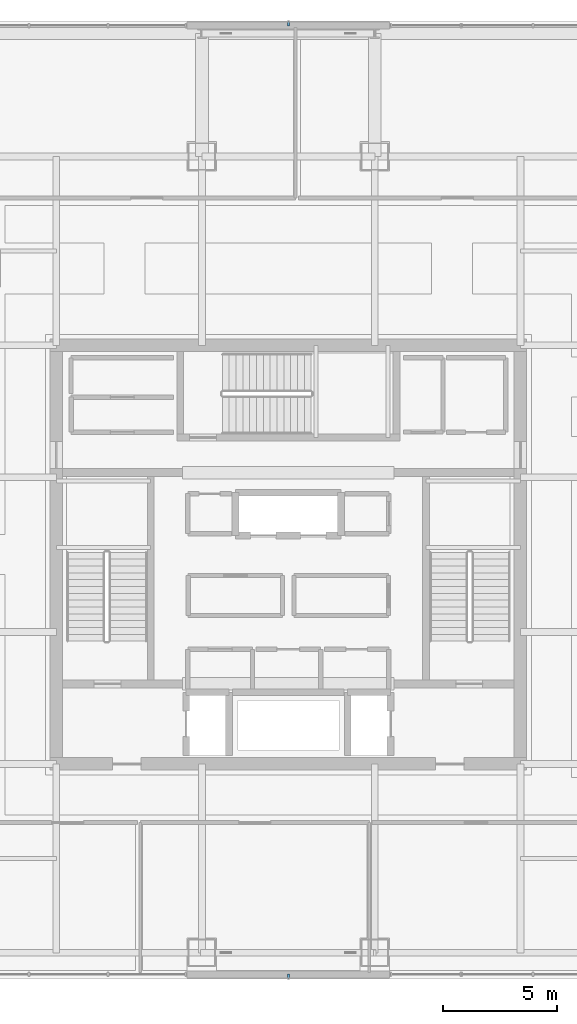
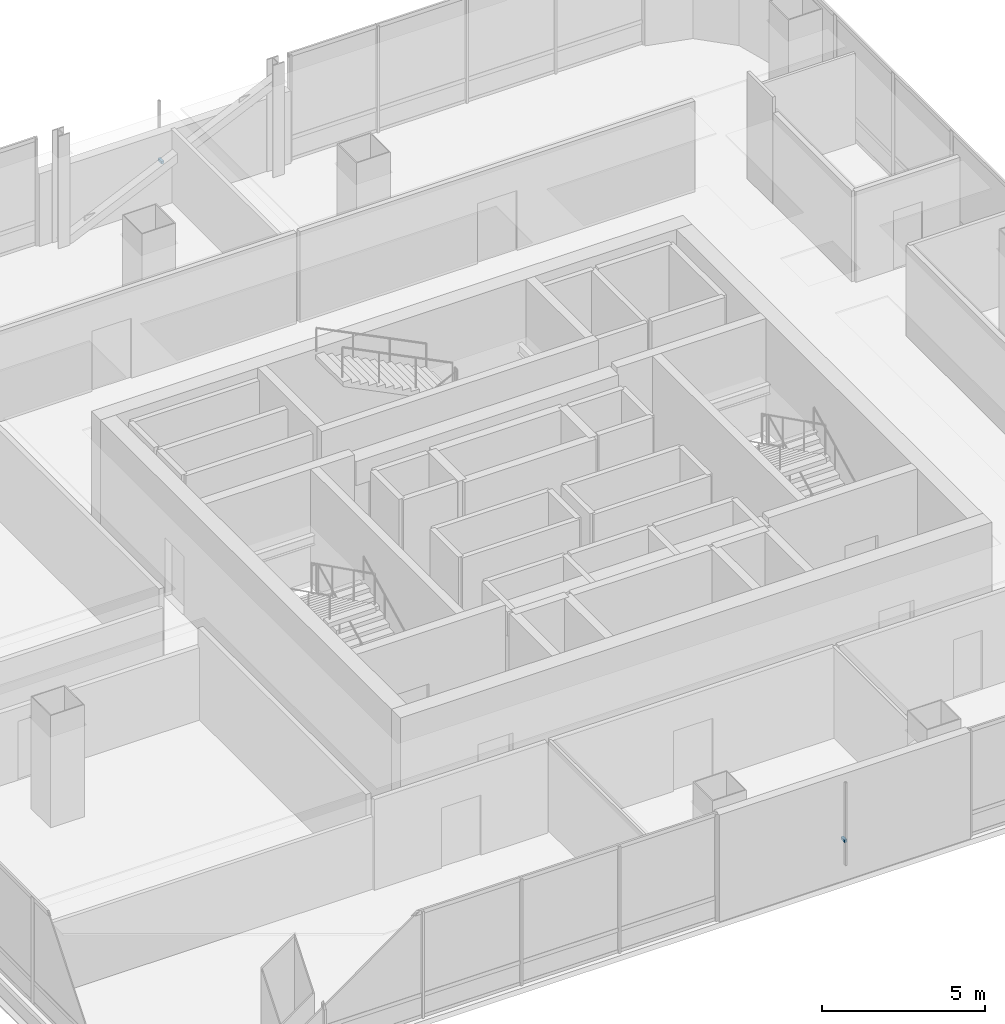
# One storey, part 35 of 43: 2 discrete accessories.
"""IFC4 building model written with IfcOpenShell, lengths in metres."""

from ifc_helpers import new_model, si_unit, direction, frame, origin, origin_2d, place, context, subcontext, project, spatial, rectangle, extrude, material, type_object, element, save


model = new_model("IFC4")

# Units and contexts
model_context = context("Model", 3, precision=1e-05, world=origin(), true_north=direction((0.0, 1.0)))
body_context = subcontext(model_context, "Body", "Model", "MODEL_VIEW")
ifc_project = project(units=[si_unit("LENGTHUNIT", "METRE"), si_unit("AREAUNIT", "SQUARE_METRE"), si_unit("VOLUMEUNIT", "CUBIC_METRE"), si_unit("PLANEANGLEUNIT", "RADIAN"), si_unit("MASSUNIT", "GRAM", prefix="KILO")], contexts=[model_context])

# Site, building, storey
site_placement = place(None, origin())
site = spatial("IfcSite", under=ifc_project, at=site_placement, CompositionType="ELEMENT")
building_placement = place(site_placement, origin())
building = spatial("IfcBuilding", under=site, at=building_placement, Name="Punatoya Terracotta Tower", CompositionType="ELEMENT")
storey_placement = place(building_placement, frame((0.0, 0.0, 300.60009765625)))
storey = spatial("IfcBuildingStorey", under=building, at=storey_placement, Name="L71", CompositionType="ELEMENT", Elevation=300.60009765625)

# Discrete accessories
ifc_material = material(Name="Steel S355", Category="steel")
discrete_accessory_type = type_object("IfcDiscreteAccessoryType", Name="ACC-BRK-220", PredefinedType="BRACKET", material=ifc_material)
for number, where, z_axis, x_axis, name in (
    (1, (0.0, -18.550048828125, 1.449951171875), (0.0, 0.0, 1.0), (1.0, 0.0, 0.0), "L71 Jali Fin Support Bracket S1"),
    (2, (0.0, 23.35009765625, 1.449951171875), (0.0, 0.0, 1.0), (-1.0, 0.0, 0.0), "L71 Jali Fin Support Bracket N1"),
):
    element("IfcDiscreteAccessory", number, at=place(storey_placement, frame(where, z_axis=z_axis, x_axis=x_axis)), inside=storey, type_object=discrete_accessory_type, Name=name, PredefinedType="BRACKET", context=body_context, shape_type="SweptSolid", body=[
        extrude(rectangle(XDim=0.090087890625, YDim=0.219970703125, at=origin_2d()), origin(), (0.0, 0.0, 1.0), 0.10009765625),
    ])

save(model, "model.ifc")
